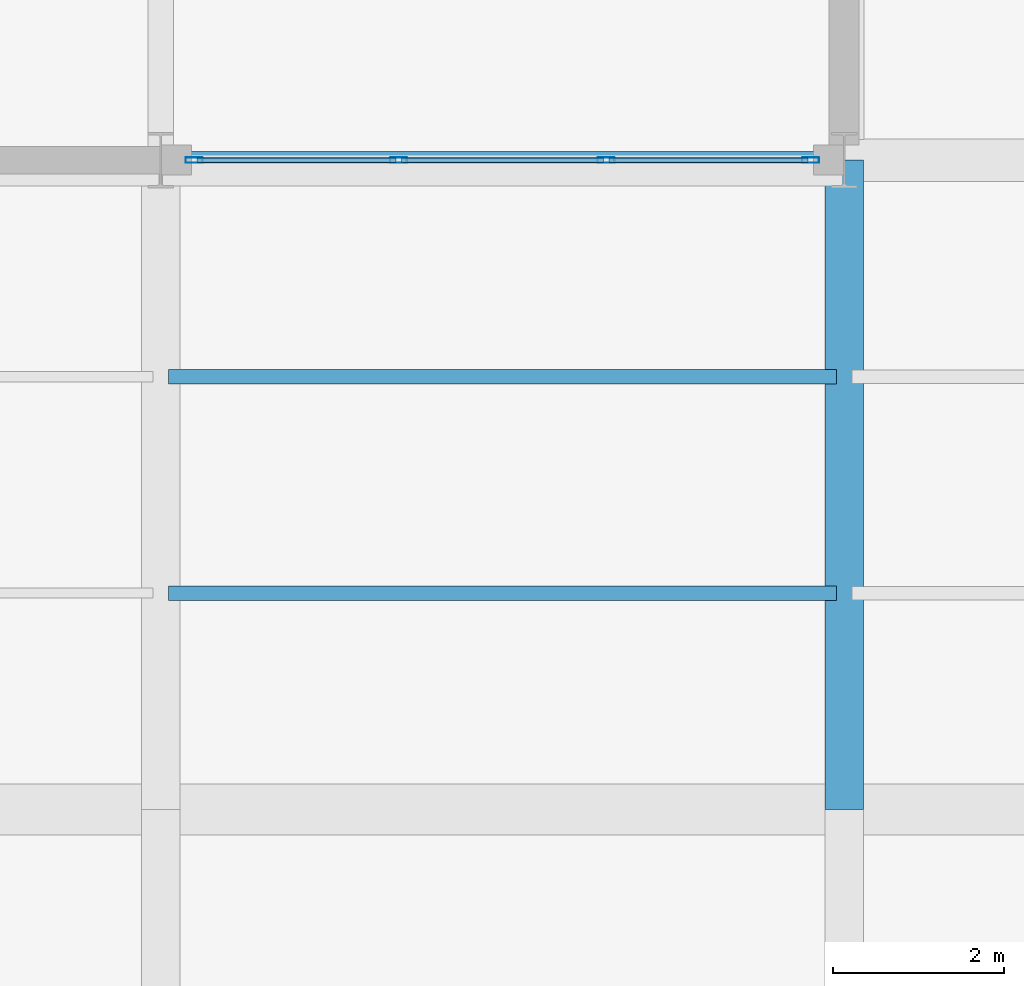
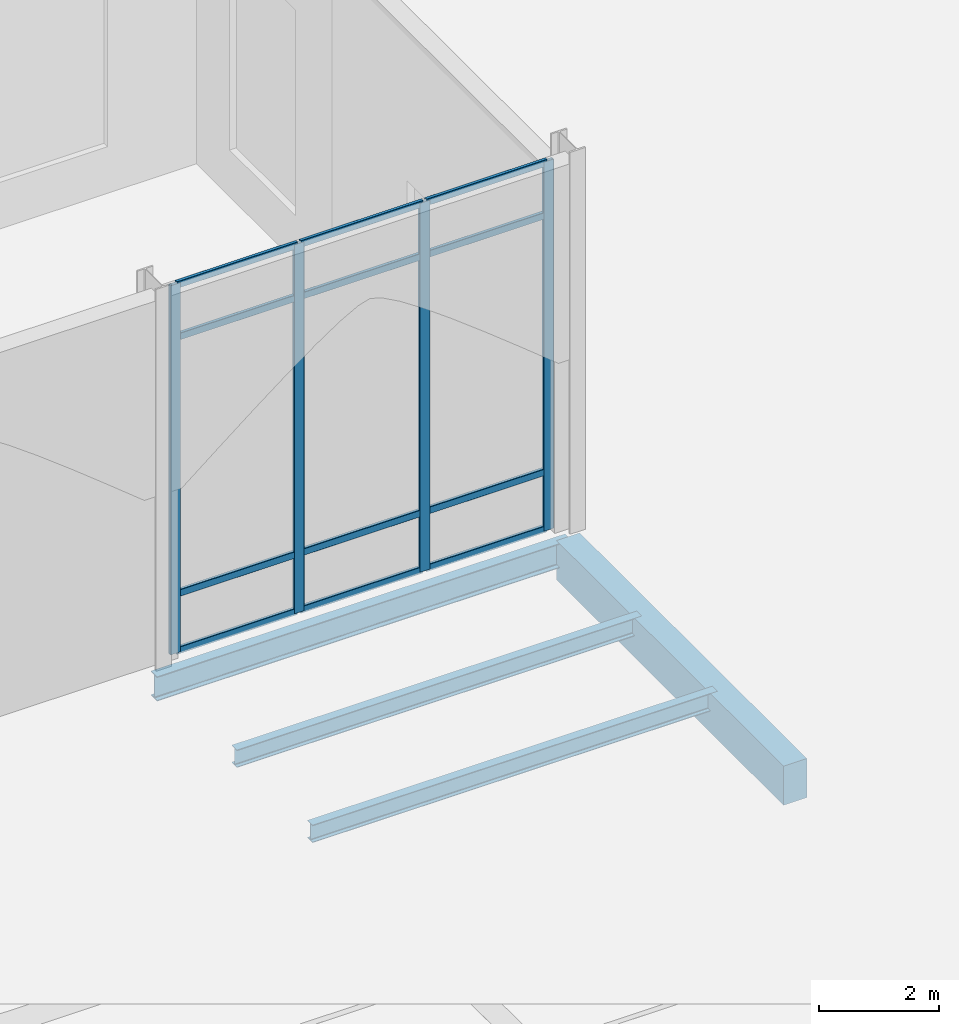
# One storey, part 78 of 176: 16 members, 4 beams, 1 element without a shape of its own.
"""IFC4 building model written with IfcOpenShell, lengths in metres."""

import ifcopenshell
import ifcopenshell.guid

model = None  # the IFC model being written
_history = None  # IfcOwnerHistory: only IFC2X3 demands one
_inside = {}  # id of a spatial element -> (the spatial element, [elements in it])
_under = {}  # id of a project, library or spatial element -> (it, [spatial elements below it])
_declared = {}  # id of a project -> (the project, [libraries it declares])
_typed = {}  # id of a type object -> (the type object, [elements of that type])
_made_of = {}  # id of a material, layer set ... -> (it, [elements and type objects made of it])


def new_model(schema):
    """Start an empty IFC model of exactly this schema.

    Asked for "IFC4X3", IfcOpenShell would pick the latest addendum, in which some entities
    have other attributes; the version numbers below select the first issue.
    IFC2X3 requires an IfcOwnerHistory on every rooted entity: one is made here for all.
    """
    global model, _history
    if schema == "IFC4X3":
        model = ifcopenshell.file(schema_version=(4, 3, 0, 0))
    else:
        model = ifcopenshell.file(schema=schema)
    _inside.clear()
    _under.clear()
    _declared.clear()
    _typed.clear()
    _made_of.clear()
    _history = None
    if model.schema == "IFC2X3":
        org = make("IfcOrganization", Name="unknown")
        user = make(
            "IfcPersonAndOrganization",
            ThePerson=make("IfcPerson", FamilyName="unknown"),
            TheOrganization=org,
        )
        app = make(
            "IfcApplication",
            ApplicationDeveloper=org,
            Version="unknown",
            ApplicationFullName="unknown",
            ApplicationIdentifier="unknown",
        )
        _history = make(
            "IfcOwnerHistory",
            OwningUser=user,
            OwningApplication=app,
            ChangeAction="ADDED",
            CreationDate=0,
        )
    return model


def make(cls, **values):
    """One entity of the class cls with the attributes given. An attribute that is None is left unset."""
    return model.create_entity(
        cls, **{name: value for name, value in values.items() if value is not None}
    )


def rooted(cls, **values):
    """An entity with a GlobalId (a new one), such as an element, a storey or a relation."""
    return make(cls, GlobalId=ifcopenshell.guid.new(), OwnerHistory=_history, **values)


def si_unit(unit_type, name, prefix=None):
    """IfcSIUnit, for example si_unit("LENGTHUNIT", "METRE", prefix="MILLI")."""
    return make("IfcSIUnit", UnitType=unit_type, Prefix=prefix, Name=name)


def assignment(units):
    """IfcUnitAssignment: the units of a project."""
    return None if units is None else make("IfcUnitAssignment", Units=units)


def point(xyz):
    """IfcCartesianPoint."""
    return None if xyz is None else make("IfcCartesianPoint", Coordinates=xyz)


def direction(xyz):
    """IfcDirection."""
    return None if xyz is None else make("IfcDirection", DirectionRatios=xyz)


def frame(location, z_axis=None, x_axis=None):
    """IfcAxis2Placement3D, a coordinate frame: its origin and axes. An axis left out is left unset."""
    return make(
        "IfcAxis2Placement3D",
        Location=point(location),
        Axis=direction(z_axis),
        RefDirection=direction(x_axis),
    )


def frame_2d(location, x_axis=None):
    """IfcAxis2Placement2D, a coordinate frame in the plane: its origin and x axis."""
    return make(
        "IfcAxis2Placement2D", Location=point(location), RefDirection=direction(x_axis)
    )


def origin():
    """The frame at (0, 0, 0) with its axes left unset."""
    return frame((0.0, 0.0, 0.0))


def origin_2d():
    """The frame at (0, 0) in the plane with its x axis left unset."""
    return frame_2d((0.0, 0.0))


def place(relative_to, where):
    """IfcLocalPlacement: puts the frame where relative to a parent placement (None: the world)."""
    return make(
        "IfcLocalPlacement", PlacementRelTo=relative_to, RelativePlacement=where
    )


def context(
    kind, dimensions, precision=None, world=None, true_north=None, identifier=None
):
    """IfcGeometricRepresentationContext, for example the 3D "Model" context."""
    return make(
        "IfcGeometricRepresentationContext",
        ContextIdentifier=identifier,
        ContextType=kind,
        CoordinateSpaceDimension=dimensions,
        Precision=precision,
        WorldCoordinateSystem=world,
        TrueNorth=true_north,
    )


def subcontext(parent, identifier, kind, view, scale=None):
    """IfcGeometricRepresentationSubContext, for example "Body" below "Model"."""
    return make(
        "IfcGeometricRepresentationSubContext",
        ContextIdentifier=identifier,
        ContextType=kind,
        ParentContext=parent,
        TargetScale=scale,
        TargetView=view,
    )


def project(units=None, contexts=None):
    """IfcProject with its units and contexts."""
    return rooted(
        "IfcProject",
        Name="project",
        RepresentationContexts=contexts,
        UnitsInContext=assignment(units),
    )


def spatial(cls, under=None, at=None, **own):
    """A site, building, storey or space (cls), placed at a placement, below another one or the project."""
    s = rooted(cls, ObjectPlacement=at, **own)
    if under is not None:
        _under.setdefault(under.id(), (under, []))[1].append(s)
    return s


def profile(cls, at=None, kind="AREA", **sizes):
    """A parametric profile (cls). Its sizes go by their IFC names, for example OverallWidth=200.0."""
    return make(cls, ProfileType=kind, Position=at, **sizes)


def rectangle(**sizes):
    """IfcRectangleProfileDef."""
    return profile("IfcRectangleProfileDef", **sizes)


def hollow_rectangle(**sizes):
    """IfcRectangleHollowProfileDef."""
    return profile("IfcRectangleHollowProfileDef", **sizes)


def i_section(**sizes):
    """IfcIShapeProfileDef."""
    return profile("IfcIShapeProfileDef", **sizes)


def extrude(swept, where, along, depth):
    """IfcExtrudedAreaSolid: the profile swept, set in the frame where, extruded along a direction by depth."""
    return make(
        "IfcExtrudedAreaSolid",
        SweptArea=swept,
        Position=where,
        ExtrudedDirection=direction(along),
        Depth=depth,
    )


def shape(context_of_items, identifier, shape_type, items):
    """IfcShapeRepresentation: the items that make up one representation, for example the "Body"."""
    return make(
        "IfcShapeRepresentation",
        ContextOfItems=context_of_items,
        RepresentationIdentifier=identifier,
        RepresentationType=shape_type,
        Items=items,
    )


def material(Name=None, Category=None):
    """IfcMaterial."""
    return make("IfcMaterial", Name=Name, Category=Category)


def layer(
    of_material, thickness, ventilated=None, Name=None, Category=None, Priority=None
):
    """IfcMaterialLayer: one layer of a wall or slab, of a material (None: an air gap)."""
    return make(
        "IfcMaterialLayer",
        Material=of_material,
        LayerThickness=thickness,
        IsVentilated=ventilated,
        Name=Name,
        Category=Category,
        Priority=Priority,
    )


def layer_set(layers, Name=None):
    """IfcMaterialLayerSet."""
    return make("IfcMaterialLayerSet", MaterialLayers=layers, LayerSetName=Name)


def material_profile(
    of_material, cross_section, Name=None, Category=None, Priority=None
):
    """IfcMaterialProfile: a cross section and its material."""
    return make(
        "IfcMaterialProfile",
        Name=Name,
        Material=of_material,
        Profile=cross_section,
        Priority=Priority,
        Category=Category,
    )


def profile_set(profiles, Name=None, composite=None):
    """IfcMaterialProfileSet."""
    return make(
        "IfcMaterialProfileSet",
        Name=Name,
        MaterialProfiles=profiles,
        CompositeProfile=composite,
    )


def made_of(thing, what):
    """Note that an element or type object is made of a material, layer set ...; save() writes the relation."""
    if what is not None:
        _made_of.setdefault(what.id(), (what, []))[1].append(thing)
    return thing


def type_object(cls, material=None, **own):
    """A type object (cls), such as IfcWallType, which elements share."""
    return made_of(rooted(cls, **own), material)


def element(
    cls,
    number,
    at=None,
    inside=None,
    cuts=None,
    type_object=None,
    material=None,
    context=None,
    identifier="Body",
    shape_type=None,
    held_by="IfcProductDefinitionShape",
    body=None,
    shapes=None,
    **own,
):
    """One element of the class cls, such as IfcWall. Its Tag is "e" and its number.

    at: its placement. inside: the storey or other place that contains it. cuts: it is an
    opening in that element (IfcRelVoidsElement). A single representation is given by context,
    identifier, shape_type and body (its items); several are given by shapes. held_by: the class
    of the entity that holds the representations. save() writes the other relations.
    """
    e = rooted(cls, Tag="e%d" % number, ObjectPlacement=at, **own)
    if body is not None:
        shapes = [shape(context, identifier, shape_type, body)]
    if shapes is not None:
        e.Representation = make(held_by, Representations=shapes)
    if inside is not None:
        _inside.setdefault(inside.id(), (inside, []))[1].append(e)
    if cuts is not None:
        rooted(
            "IfcRelVoidsElement", RelatingBuildingElement=cuts, RelatedOpeningElement=e
        )
    if type_object is not None:
        _typed.setdefault(type_object.id(), (type_object, []))[1].append(e)
    return made_of(e, material)


def aggregate(whole, parts):
    """IfcRelAggregates: a whole, such as a stair, and the parts it consists of."""
    return rooted("IfcRelAggregates", RelatingObject=whole, RelatedObjects=parts)


def save(model, path):
    """Write the relations noted so far, then the file.

    IfcRelAggregates (storeys below a building ...), IfcRelContainedInSpatialStructure (elements
    in a storey), IfcRelDefinesByType, IfcRelAssociatesMaterial and IfcRelDeclares: one each for
    every whole, place, type object, material and project.
    """
    for whole, parts in _under.values():
        aggregate(whole, parts)
    for where, things in _inside.values():
        rooted(
            "IfcRelContainedInSpatialStructure",
            RelatedElements=things,
            RelatingStructure=where,
        )
    for kind, things in _typed.values():
        rooted("IfcRelDefinesByType", RelatedObjects=things, RelatingType=kind)
    for what, things in _made_of.values():
        rooted("IfcRelAssociatesMaterial", RelatedObjects=things, RelatingMaterial=what)
    for by, libraries in _declared.values():
        rooted("IfcRelDeclares", RelatingContext=by, RelatedDefinitions=libraries)
    model.write(path)


model = new_model("IFC4")

# Units and contexts
model_context = context("Model", 3, precision=1e-05, world=origin(), true_north=direction((0.0, 1.0)))
body_context = subcontext(model_context, "Body", "Model", "MODEL_VIEW")
ifc_project = project(units=[si_unit("LENGTHUNIT", "METRE"), si_unit("AREAUNIT", "SQUARE_METRE"), si_unit("VOLUMEUNIT", "CUBIC_METRE"), si_unit("PLANEANGLEUNIT", "RADIAN"), si_unit("MASSUNIT", "GRAM", prefix="KILO")], contexts=[model_context])

# Site, building, storey
site_placement = place(None, origin())
site = spatial("IfcSite", under=ifc_project, at=site_placement, CompositionType="ELEMENT")
building_placement = place(site_placement, origin())
building = spatial("IfcBuilding", under=site, at=building_placement, Name="Vekula Escarpment Museum", CompositionType="ELEMENT")
storey_placement = place(building_placement, origin())
storey = spatial("IfcBuildingStorey", under=building, at=storey_placement, Name="L01", CompositionType="ELEMENT", Elevation=0.0)

# Beams
ifc_material_1 = material(Name="Steel S355", Category="steel")
ifc_material_profile_1 = material_profile(ifc_material_1, i_section(OverallWidth=0.199951171875, OverallDepth=0.5, WebThickness=0.01025390625, FlangeThickness=0.01611328125, FilletRadius=0.02099609375, at=origin_2d()), Name="IPE 500")
ifc_profile_set_1 = profile_set([ifc_material_profile_1], Name="Steel S355")
beam_type_1 = type_object("IfcBeamType", Name="BM-GIRD-IPE500", PredefinedType="BEAM", material=ifc_profile_set_1)
beam_1_placement = place(storey_placement, frame((110.0, 120.800048828125, -0.550048828125), z_axis=(1.0, 0.0, 0.0), x_axis=(0.0, 1.0, 0.0)))
element("IfcBeam", 1, at=beam_1_placement, inside=storey, type_object=beam_type_1, Name="Beam X L01 0344", PredefinedType="BEAM", context=body_context, shape_type="SweptSolid", body=[
    extrude(i_section(OverallWidth=0.199951171875, OverallDepth=0.5, WebThickness=0.01025390625, FlangeThickness=0.01611328125, FilletRadius=0.02099609375, at=origin_2d()), origin(), (0.0, 0.0, 1.0), 8.0),
])
ifc_material_2 = material(Name="Steel S355", Category="steel")
ifc_material_profile_2 = material_profile(ifc_material_2, i_section(OverallWidth=0.169921875, OverallDepth=0.360107421875, WebThickness=0.008056640625, FlangeThickness=0.0126953125, FilletRadius=0.01806640625, at=origin_2d()), Name="IPE 360")
ifc_profile_set_2 = profile_set([ifc_material_profile_2], Name="Steel S355")
beam_type_2 = type_object("IfcBeamType", Name="BM-JST-IPE360", PredefinedType="JOIST", material=ifc_profile_set_2)
for number, where, z_axis, x_axis, name in (
    (2, (110.090087890625, 115.7333984375, -0.47998046875), (1.0, 0.0, 0.0), (0.0, 1.0, 0.0), "Secondary Joist L01 0377"),
    (3, (110.090087890625, 118.2666015625, -0.47998046875), (1.0, 0.0, 0.0), (0.0, 1.0, 0.0), "Secondary Joist L01 0378"),
):
    element("IfcBeam", number, at=place(storey_placement, frame(where, z_axis=z_axis, x_axis=x_axis)), inside=storey, type_object=beam_type_2, Name=name, PredefinedType="JOIST", context=body_context, shape_type="SweptSolid", body=[
        extrude(i_section(OverallWidth=0.169921875, OverallDepth=0.360107421875, WebThickness=0.008056640625, FlangeThickness=0.0126953125, FilletRadius=0.01806640625, at=origin_2d()), origin(), (0.0, 0.0, 1.0), 7.81982421875),
    ])
ifc_material_3 = material(Name="Concrete C35/45", Category="concrete")
ifc_material_profile_3 = material_profile(ifc_material_3, rectangle(XDim=0.449951171875, YDim=0.800048828125, at=origin_2d()), Name="RC 450x800")
ifc_profile_set_3 = profile_set([ifc_material_profile_3], Name="Concrete C35/45")
beam_type_3 = type_object("IfcBeamType", Name="BM-PLINTH-RC", PredefinedType="BEAM", material=ifc_profile_set_3)
beam_2_placement = place(storey_placement, frame((118.0, 113.199951171875, -0.699951171875), z_axis=(0.0, 1.0, 0.0), x_axis=(-1.0, 0.0, 0.0)))
element("IfcBeam", 4, at=beam_2_placement, inside=storey, type_object=beam_type_3, Name="Beam Y L01 0645", PredefinedType="BEAM", context=body_context, shape_type="SweptSolid", body=[
    extrude(rectangle(XDim=0.449951171875, YDim=0.800048828125, at=origin_2d()), origin(), (0.0, 0.0, 1.0), 7.60009765625),
])

# Curtain wall, members
ifc_material_4 = material(Name="Aluminium thermally broken framing", Category="aluminium")
ifc_layer = layer(ifc_material_4, 0.159912109375)
ifc_layer_set = layer_set([ifc_layer], Name="Aluminium thermally broken framing")
curtain_wall_type = type_object("IfcCurtainWallType", Name="CW-SYS-02", PredefinedType="NOTDEFINED", material=ifc_layer_set)
curtain_wall_placement = place(storey_placement, origin())
curtain_wall = element("IfcCurtainWall", 5, at=curtain_wall_placement, inside=storey, type_object=curtain_wall_type, Name="Curtain Wall CW-L01-032", PredefinedType="NOTDEFINED")
ifc_material_5 = material(Name="Aluminium anodized mullion", Category="aluminium")
ifc_material_profile_4 = material_profile(ifc_material_5, hollow_rectangle(XDim=0.06494140625, YDim=0.199951171875, WallThickness=0.00390625, InnerFilletRadius=0.00390625, OuterFilletRadius=0.008056640625, at=origin_2d()), Name="ALU 200x65x4")
ifc_profile_set_4 = profile_set([ifc_material_profile_4], Name="Aluminium anodized mullion")
member_type_1 = type_object("IfcMemberType", Name="CW-MUL-200", PredefinedType="MULLION", material=ifc_profile_set_4)
member_1_placement = place(storey_placement, frame((110.392578125, 120.800048828125, 0.0), z_axis=(0.0, 0.0, 1.0), x_axis=(0.0, 1.0, 0.0)))
member_1 = element("IfcMember", 6, at=member_1_placement, type_object=member_type_1, Name="CW-02 mullion 1", PredefinedType="MULLION", context=body_context, shape_type="SweptSolid", body=[
    extrude(hollow_rectangle(XDim=0.06494140625, YDim=0.199951171875, WallThickness=0.00390625, InnerFilletRadius=0.00390625, OuterFilletRadius=0.008056640625, at=origin_2d()), origin(), (0.0, 0.0, 1.0), 7.5400390625),
])
member_2_placement = place(storey_placement, frame((112.78662109375, 120.800048828125, 0.0), z_axis=(0.0, 0.0, 1.0), x_axis=(0.0, 1.0, 0.0)))
member_2 = element("IfcMember", 7, at=member_2_placement, type_object=member_type_1, Name="CW-02 mullion 2", PredefinedType="MULLION", context=body_context, shape_type="SweptSolid", body=[
    extrude(hollow_rectangle(XDim=0.06494140625, YDim=0.199951171875, WallThickness=0.00390625, InnerFilletRadius=0.00390625, OuterFilletRadius=0.008056640625, at=origin_2d()), origin(), (0.0, 0.0, 1.0), 7.5400390625),
])
member_3_placement = place(storey_placement, frame((115.21337890625, 120.800048828125, 0.0), z_axis=(0.0, 0.0, 1.0), x_axis=(0.0, 1.0, 0.0)))
member_3 = element("IfcMember", 8, at=member_3_placement, type_object=member_type_1, Name="CW-02 mullion 3", PredefinedType="MULLION", context=body_context, shape_type="SweptSolid", body=[
    extrude(hollow_rectangle(XDim=0.06494140625, YDim=0.199951171875, WallThickness=0.00390625, InnerFilletRadius=0.00390625, OuterFilletRadius=0.008056640625, at=origin_2d()), origin(), (0.0, 0.0, 1.0), 7.5400390625),
])
member_4_placement = place(storey_placement, frame((117.607421875, 120.800048828125, 0.0), z_axis=(0.0, 0.0, 1.0), x_axis=(0.0, 1.0, 0.0)))
member_4 = element("IfcMember", 9, at=member_4_placement, type_object=member_type_1, Name="CW-02 mullion 4", PredefinedType="MULLION", context=body_context, shape_type="SweptSolid", body=[
    extrude(hollow_rectangle(XDim=0.06494140625, YDim=0.199951171875, WallThickness=0.00390625, InnerFilletRadius=0.00390625, OuterFilletRadius=0.008056640625, at=origin_2d()), origin(), (0.0, 0.0, 1.0), 7.5400390625),
])
ifc_material_6 = material(Name="Aluminium anodized transom", Category="aluminium")
ifc_material_profile_5 = material_profile(ifc_material_6, hollow_rectangle(XDim=0.06494140625, YDim=0.139892578125, WallThickness=0.00390625, InnerFilletRadius=0.00390625, OuterFilletRadius=0.008056640625, at=origin_2d()), Name="ALU 140x65x4")
ifc_profile_set_5 = profile_set([ifc_material_profile_5], Name="Aluminium anodized transom")
member_type_2 = type_object("IfcMemberType", Name="CW-TRN-140", PredefinedType="USERDEFINED", material=ifc_profile_set_5)
member_5_placement = place(storey_placement, frame((110.425048828125, 120.800048828125, 0.032470703125), z_axis=(1.0, 0.0, 0.0), x_axis=(0.0, 1.0, 0.0)))
member_5 = element("IfcMember", 10, at=member_5_placement, type_object=member_type_2, Name="CW-02 transom 1.1", ObjectType="TRANSOM", PredefinedType="USERDEFINED", context=body_context, shape_type="SweptSolid", body=[
    extrude(hollow_rectangle(XDim=0.06494140625, YDim=0.139892578125, WallThickness=0.00390625, InnerFilletRadius=0.00390625, OuterFilletRadius=0.008056640625, at=origin_2d()), origin(), (0.0, 0.0, 1.0), 2.3291015625),
])
member_6_placement = place(storey_placement, frame((110.425048828125, 120.800048828125, 1.199951171875), z_axis=(1.0, 0.0, 0.0), x_axis=(0.0, 1.0, 0.0)))
member_6 = element("IfcMember", 11, at=member_6_placement, type_object=member_type_2, Name="CW-02 transom 1.2", ObjectType="TRANSOM", PredefinedType="USERDEFINED", context=body_context, shape_type="SweptSolid", body=[
    extrude(hollow_rectangle(XDim=0.06494140625, YDim=0.139892578125, WallThickness=0.00390625, InnerFilletRadius=0.00390625, OuterFilletRadius=0.008056640625, at=origin_2d()), origin(), (0.0, 0.0, 1.0), 2.3291015625),
])
member_7_placement = place(storey_placement, frame((110.425048828125, 120.800048828125, 6.43994140625), z_axis=(1.0, 0.0, 0.0), x_axis=(0.0, 1.0, 0.0)))
member_7 = element("IfcMember", 12, at=member_7_placement, type_object=member_type_2, Name="CW-02 transom 1.3", ObjectType="TRANSOM", PredefinedType="USERDEFINED", context=body_context, shape_type="SweptSolid", body=[
    extrude(hollow_rectangle(XDim=0.06494140625, YDim=0.139892578125, WallThickness=0.00390625, InnerFilletRadius=0.00390625, OuterFilletRadius=0.008056640625, at=origin_2d()), origin(), (0.0, 0.0, 1.0), 2.3291015625),
])
member_8_placement = place(storey_placement, frame((110.425048828125, 120.800048828125, 7.507568359375), z_axis=(1.0, 0.0, 0.0), x_axis=(0.0, 1.0, 0.0)))
member_8 = element("IfcMember", 13, at=member_8_placement, type_object=member_type_2, Name="CW-02 transom 1.4", ObjectType="TRANSOM", PredefinedType="USERDEFINED", context=body_context, shape_type="SweptSolid", body=[
    extrude(hollow_rectangle(XDim=0.06494140625, YDim=0.139892578125, WallThickness=0.00390625, InnerFilletRadius=0.00390625, OuterFilletRadius=0.008056640625, at=origin_2d()), origin(), (0.0, 0.0, 1.0), 2.3291015625),
])
member_9_placement = place(storey_placement, frame((112.819091796875, 120.800048828125, 0.032470703125), z_axis=(1.0, 0.0, 0.0), x_axis=(0.0, 1.0, 0.0)))
member_9 = element("IfcMember", 14, at=member_9_placement, type_object=member_type_2, Name="CW-02 transom 2.1", ObjectType="TRANSOM", PredefinedType="USERDEFINED", context=body_context, shape_type="SweptSolid", body=[
    extrude(hollow_rectangle(XDim=0.06494140625, YDim=0.139892578125, WallThickness=0.00390625, InnerFilletRadius=0.00390625, OuterFilletRadius=0.008056640625, at=origin_2d()), origin(), (0.0, 0.0, 1.0), 2.36181640625),
])
member_10_placement = place(storey_placement, frame((112.819091796875, 120.800048828125, 1.199951171875), z_axis=(1.0, 0.0, 0.0), x_axis=(0.0, 1.0, 0.0)))
member_10 = element("IfcMember", 15, at=member_10_placement, type_object=member_type_2, Name="CW-02 transom 2.2", ObjectType="TRANSOM", PredefinedType="USERDEFINED", context=body_context, shape_type="SweptSolid", body=[
    extrude(hollow_rectangle(XDim=0.06494140625, YDim=0.139892578125, WallThickness=0.00390625, InnerFilletRadius=0.00390625, OuterFilletRadius=0.008056640625, at=origin_2d()), origin(), (0.0, 0.0, 1.0), 2.36181640625),
])
member_11_placement = place(storey_placement, frame((112.819091796875, 120.800048828125, 6.43994140625), z_axis=(1.0, 0.0, 0.0), x_axis=(0.0, 1.0, 0.0)))
member_11 = element("IfcMember", 16, at=member_11_placement, type_object=member_type_2, Name="CW-02 transom 2.3", ObjectType="TRANSOM", PredefinedType="USERDEFINED", context=body_context, shape_type="SweptSolid", body=[
    extrude(hollow_rectangle(XDim=0.06494140625, YDim=0.139892578125, WallThickness=0.00390625, InnerFilletRadius=0.00390625, OuterFilletRadius=0.008056640625, at=origin_2d()), origin(), (0.0, 0.0, 1.0), 2.36181640625),
])
member_12_placement = place(storey_placement, frame((112.819091796875, 120.800048828125, 7.507568359375), z_axis=(1.0, 0.0, 0.0), x_axis=(0.0, 1.0, 0.0)))
member_12 = element("IfcMember", 17, at=member_12_placement, type_object=member_type_2, Name="CW-02 transom 2.4", ObjectType="TRANSOM", PredefinedType="USERDEFINED", context=body_context, shape_type="SweptSolid", body=[
    extrude(hollow_rectangle(XDim=0.06494140625, YDim=0.139892578125, WallThickness=0.00390625, InnerFilletRadius=0.00390625, OuterFilletRadius=0.008056640625, at=origin_2d()), origin(), (0.0, 0.0, 1.0), 2.36181640625),
])
member_13_placement = place(storey_placement, frame((115.245849609375, 120.800048828125, 0.032470703125), z_axis=(1.0, 0.0, 0.0), x_axis=(0.0, 1.0, 0.0)))
member_13 = element("IfcMember", 18, at=member_13_placement, type_object=member_type_2, Name="CW-02 transom 3.1", ObjectType="TRANSOM", PredefinedType="USERDEFINED", context=body_context, shape_type="SweptSolid", body=[
    extrude(hollow_rectangle(XDim=0.06494140625, YDim=0.139892578125, WallThickness=0.00390625, InnerFilletRadius=0.00390625, OuterFilletRadius=0.008056640625, at=origin_2d()), origin(), (0.0, 0.0, 1.0), 2.3291015625),
])
member_14_placement = place(storey_placement, frame((115.245849609375, 120.800048828125, 1.199951171875), z_axis=(1.0, 0.0, 0.0), x_axis=(0.0, 1.0, 0.0)))
member_14 = element("IfcMember", 19, at=member_14_placement, type_object=member_type_2, Name="CW-02 transom 3.2", ObjectType="TRANSOM", PredefinedType="USERDEFINED", context=body_context, shape_type="SweptSolid", body=[
    extrude(hollow_rectangle(XDim=0.06494140625, YDim=0.139892578125, WallThickness=0.00390625, InnerFilletRadius=0.00390625, OuterFilletRadius=0.008056640625, at=origin_2d()), origin(), (0.0, 0.0, 1.0), 2.3291015625),
])
member_15_placement = place(storey_placement, frame((115.245849609375, 120.800048828125, 6.43994140625), z_axis=(1.0, 0.0, 0.0), x_axis=(0.0, 1.0, 0.0)))
member_15 = element("IfcMember", 20, at=member_15_placement, type_object=member_type_2, Name="CW-02 transom 3.3", ObjectType="TRANSOM", PredefinedType="USERDEFINED", context=body_context, shape_type="SweptSolid", body=[
    extrude(hollow_rectangle(XDim=0.06494140625, YDim=0.139892578125, WallThickness=0.00390625, InnerFilletRadius=0.00390625, OuterFilletRadius=0.008056640625, at=origin_2d()), origin(), (0.0, 0.0, 1.0), 2.3291015625),
])
member_16_placement = place(storey_placement, frame((115.245849609375, 120.800048828125, 7.507568359375), z_axis=(1.0, 0.0, 0.0), x_axis=(0.0, 1.0, 0.0)))
member_16 = element("IfcMember", 21, at=member_16_placement, type_object=member_type_2, Name="CW-02 transom 3.4", ObjectType="TRANSOM", PredefinedType="USERDEFINED", context=body_context, shape_type="SweptSolid", body=[
    extrude(hollow_rectangle(XDim=0.06494140625, YDim=0.139892578125, WallThickness=0.00390625, InnerFilletRadius=0.00390625, OuterFilletRadius=0.008056640625, at=origin_2d()), origin(), (0.0, 0.0, 1.0), 2.3291015625),
])
aggregate(curtain_wall, [member_1, member_2, member_3, member_4, member_5, member_6, member_7, member_8, member_9, member_10, member_11, member_12, member_13, member_14, member_15, member_16])

save(model, "model.ifc")
